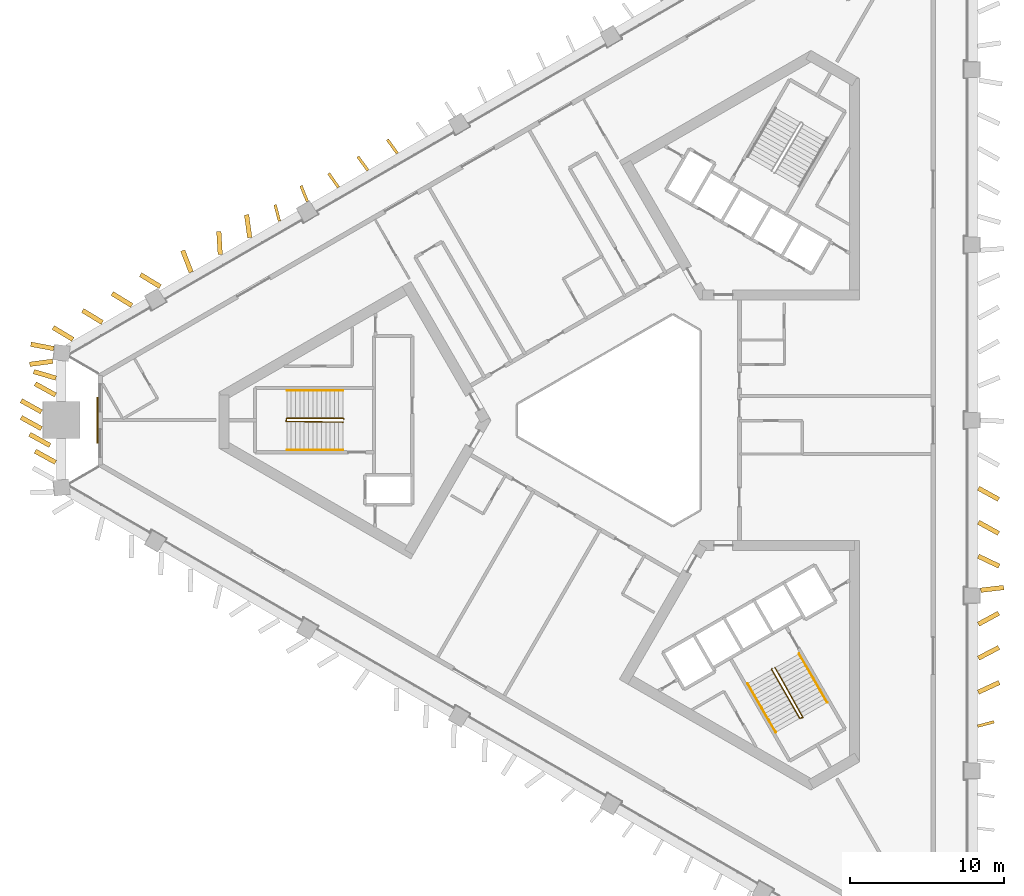
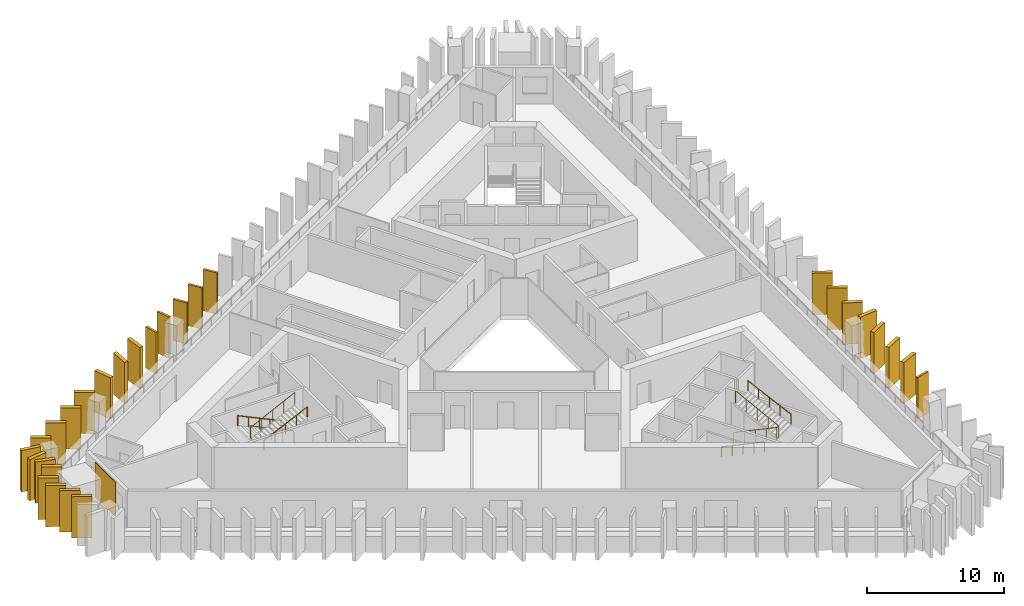
# One storey, part 8 of 10: 28 shading devices, 6 railings, 1 covering.
"""IFC4 building model written with IfcOpenShell, lengths in metres."""

from ifc_helpers import new_model, si_unit, direction, frame, frame_2d, origin, origin_2d, place, context, subcontext, project, spatial, rectangle, circle, extrude, material, layer, layer_set, type_object, element, save


model = new_model("IFC4")

# Units and contexts
model_context = context("Model", 3, precision=1e-05, world=origin(), true_north=direction((0.0, 1.0)))
body_context = subcontext(model_context, "Body", "Model", "MODEL_VIEW")
ifc_project = project(units=[si_unit("LENGTHUNIT", "METRE"), si_unit("AREAUNIT", "SQUARE_METRE"), si_unit("VOLUMEUNIT", "CUBIC_METRE"), si_unit("PLANEANGLEUNIT", "RADIAN"), si_unit("MASSUNIT", "GRAM", prefix="KILO")], contexts=[model_context])

# Site, building, storey
site_placement = place(None, origin())
site = spatial("IfcSite", under=ifc_project, at=site_placement, CompositionType="ELEMENT")
building_placement = place(site_placement, origin())
building = spatial("IfcBuilding", under=site, at=building_placement, Name="Jabali Bay Hotel Tower and Convention Centre", CompositionType="ELEMENT")
storey_placement = place(building_placement, frame((0.0, 0.0, 121.60009765625)))
storey = spatial("IfcBuildingStorey", under=building, at=storey_placement, Name="L29", CompositionType="ELEMENT", Elevation=121.60009765625)

# Shading devices
ifc_material_1 = material(Name="Precast concrete C60", Category="concrete")
ifc_layer_1 = layer(ifc_material_1, 0.179931640625)
ifc_layer_set_1 = layer_set([ifc_layer_1], Name="Precast concrete C60")
shading_device_type_1 = type_object("IfcShadingDeviceType", Name="Precast fin 3680 x 1100", PredefinedType="USERDEFINED", material=ifc_layer_set_1)
shading_device_1_placement = place(storey_placement, frame((97.516357421875, 60.182373046875, 0.010009765625), z_axis=(0.0, 0.0, 1.0), x_axis=(0.965709964393, 0.259623313038, 0.0)))
element("IfcShadingDevice", 1, at=shading_device_1_placement, inside=storey, type_object=shading_device_type_1, Name="Fin L29 004", ObjectType="FIN", PredefinedType="USERDEFINED", context=body_context, shape_type="SweptSolid", body=[
    extrude(rectangle(XDim=1.100341796875, YDim=0.179931640625, at=frame_2d((0.55029296875, 0.0))), origin(), (0.0, 0.0, 1.0), 3.679931640625),
])
for number, where, z_axis, x_axis, name in (
    (2, (59.934814453125, 97.285888671875, 0.010009765625), (0.0, 0.0, 1.0), (-0.587749294152, 0.809043118272, 0.0), "Fin L29 050"),
    (3, (58.027587890625, 96.185302734375, 0.010009765625), (0.0, 0.0, 1.0), (-0.592229410148, 0.805769399863, 0.0), "Fin L29 051"),
):
    element("IfcShadingDevice", number, at=place(storey_placement, frame(where, z_axis=z_axis, x_axis=x_axis)), inside=storey, type_object=shading_device_type_1, Name=name, ObjectType="FIN", PredefinedType="USERDEFINED", context=body_context, shape_type="SweptSolid", body=[
        extrude(rectangle(XDim=1.099853515625, YDim=0.179931640625, at=frame_2d((0.5498046875, 0.0))), origin(), (0.0, 0.0, 1.0), 3.679931640625),
    ])
for number, where, z_axis, x_axis, name in (
    (4, (56.121826171875, 95.08251953125, 0.010009765625), (0.0, 0.0, 1.0), (-0.574310965573, 0.818637230293, 0.0), "Fin L29 052"),
    (5, (54.10888671875, 94.165283203125, 0.010009765625), (0.0, 0.0, 1.0), (-0.375978140096, 0.926628533, 0.0), "Fin L29 053"),
    (6, (52.300048828125, 92.89404296875, 0.010009765625), (0.0, 0.0, 1.0), (-0.256764718734, 0.966473941301, 0.0), "Fin L29 054"),
):
    element("IfcShadingDevice", number, at=place(storey_placement, frame(where, z_axis=z_axis, x_axis=x_axis)), inside=storey, type_object=shading_device_type_1, Name=name, ObjectType="FIN", PredefinedType="USERDEFINED", context=body_context, shape_type="SweptSolid", body=[
        extrude(rectangle(XDim=1.10009765625, YDim=0.179931640625, at=frame_2d((0.550048828125, 0.0))), origin(), (0.0, 0.0, 1.0), 3.679931640625),
    ])
ifc_layer_2 = layer(ifc_material_1, 0.300048828125)
ifc_layer_set_2 = layer_set([ifc_layer_2], Name="Precast concrete C60")
shading_device_type_2 = type_object("IfcShadingDeviceType", Name="Precast fin 3680 x 1500", PredefinedType="USERDEFINED", material=ifc_layer_set_2)
shading_device_2_placement = place(storey_placement, frame((97.555908203125, 62.384521484375, 0.010009765625), z_axis=(0.0, 0.0, 1.0), x_axis=(0.908354434814, 0.418201172587, 0.0)))
element("IfcShadingDevice", 7, at=shading_device_2_placement, inside=storey, type_object=shading_device_type_2, Name="Fin L29 005", ObjectType="FIN", PredefinedType="USERDEFINED", context=body_context, shape_type="SweptSolid", body=[
    extrude(rectangle(XDim=1.499755859375, YDim=0.300048828125, at=frame_2d((0.75, 0.0))), origin(), (0.0, 0.0, 1.0), 3.679931640625),
])
for number, where, z_axis, x_axis, name in (
    (8, (97.5625, 64.58642578125, 0.010009765625), (0.0, 0.0, 1.0), (0.886242148833, 0.463222250795, 0.0), "Fin L29 006"),
    (9, (97.564697265625, 66.788330078125, 0.010009765625), (0.0, 0.0, 1.0), (0.878777373768, 0.477231942931, 0.0), "Fin L29 007"),
    (10, (97.7177734375, 68.990234375, 0.010009765625), (0.0, 0.0, 1.0), (0.99324251465, 0.116057343977, 0.0), "Fin L29 008"),
    (11, (97.5576171875, 71.192138671875, 0.010009765625), (0.0, 0.0, 1.0), (0.903043965695, -0.429548130041, 0.0), "Fin L29 009"),
    (12, (97.5654296875, 73.39404296875, 0.010009765625), (0.0, 0.0, 1.0), (0.876123111345, -0.482087433737, 0.0), "Fin L29 010"),
    (13, (97.5654296875, 75.59619140625, 0.010009765625), (0.0, 0.0, 1.0), (0.876016513422, -0.482281109117, 0.0), "Fin L29 011"),
    (14, (50.37646484375, 91.82177734375, 0.010009765625), (0.0, 0.0, 1.0), (-0.13656579225, 0.990631003142, 0.0), "Fin L29 055"),
    (15, (48.46435546875, 90.72998046875, 0.010009765625), (0.0, 0.0, 1.0), (-0.059733356166, 0.998214368841, 0.0), "Fin L29 056"),
    (16, (46.57958984375, 89.590576171875, 0.010009765625), (0.0, 0.0, 1.0), (-0.362477679396, 0.931992452727, 0.0), "Fin L29 057"),
    (17, (44.579833984375, 88.650146484375, 0.010009765625), (0.0, 0.0, 1.0), (-0.854157694929, 0.520014069226, 0.0), "Fin L29 058"),
    (18, (42.740966796875, 87.431396484375, 0.010009765625), (0.0, 0.0, 1.0), (-0.855259035013, 0.518200716932, 0.0), "Fin L29 059"),
    (19, (40.833984375, 86.33056640625, 0.010009765625), (0.0, 0.0, 1.0), (-0.855634763077, 0.51758009256, 0.0), "Fin L29 060"),
    (20, (38.927001953125, 85.2294921875, 0.010009765625), (0.0, 0.0, 1.0), (-0.855634763077, 0.51758009256, 0.0), "Fin L29 061"),
    (21, (37.615234375, 83.81787109375, 0.010009765625), (0.0, 0.0, 1.0), (-0.991358190313, -0.131182843768, 0.0), "Fin L29 062"),
):
    element("IfcShadingDevice", number, at=place(storey_placement, frame(where, z_axis=z_axis, x_axis=x_axis)), inside=storey, type_object=shading_device_type_2, Name=name, ObjectType="FIN", PredefinedType="USERDEFINED", context=body_context, shape_type="SweptSolid", body=[
        extrude(rectangle(XDim=1.5, YDim=0.300048828125, at=frame_2d((0.75, 0.0))), origin(), (0.0, 0.0, 1.0), 3.679931640625),
    ])
shading_device_3_placement = place(storey_placement, frame((37.826904296875, 82.72705078125, 0.010009765625), z_axis=(0.0, 0.0, 1.0), x_axis=(-0.959766301418, 0.280800011863, 0.0)))
element("IfcShadingDevice", 22, at=shading_device_3_placement, inside=storey, type_object=shading_device_type_2, Name="Fin L29 063", ObjectType="FIN", PredefinedType="USERDEFINED", context=body_context, shape_type="SweptSolid", body=[
    extrude(rectangle(XDim=1.499755859375, YDim=0.300048828125, at=frame_2d((0.75, 0.0))), origin(), (0.0, 0.0, 1.0), 3.679931640625),
])
for number, where, z_axis, x_axis, name in (
    (23, (37.796875, 81.63623046875, 0.010009765625), (0.0, 0.0, 1.0), (-0.876016513422, 0.482281109117, 0.0), "Fin L29 064"),
    (24, (36.88427734375, 80.54541015625, 0.010009765625), (0.0, 0.0, 1.0), (-0.876016513422, 0.482281109117, 0.0), "Fin L29 065"),
    (25, (36.88427734375, 79.45458984375, 0.010009765625), (0.0, 0.0, 1.0), (-0.876016513422, 0.482281109117, 0.0), "Fin L29 066"),
    (26, (37.43798828125, 78.36376953125, 0.010009765625), (0.0, 0.0, 1.0), (-0.876016513422, 0.482281109117, 0.0), "Fin L29 067"),
    (27, (37.796875, 77.27294921875, 0.010009765625), (0.0, 0.0, 1.0), (-0.876016513422, 0.482281109117, 0.0), "Fin L29 068"),
):
    element("IfcShadingDevice", number, at=place(storey_placement, frame(where, z_axis=z_axis, x_axis=x_axis)), inside=storey, type_object=shading_device_type_2, Name=name, ObjectType="FIN", PredefinedType="USERDEFINED", context=body_context, shape_type="SweptSolid", body=[
        extrude(rectangle(XDim=1.5, YDim=0.300048828125, at=frame_2d((0.75, 0.0))), origin(), (0.0, 0.0, 1.0), 3.679931640625),
    ])
shading_device_4_placement = place(storey_placement, frame((37.67529296875, 84.640625, 0.010009765625), z_axis=(0.0, 0.0, 1.0), x_axis=(-0.982609588261, 0.185683593939, 0.0)))
element("IfcShadingDevice", 28, at=shading_device_4_placement, inside=storey, type_object=shading_device_type_2, Name="Fin L29 108", ObjectType="FIN", PredefinedType="USERDEFINED", context=body_context, shape_type="SweptSolid", body=[
    extrude(rectangle(XDim=1.500244140625, YDim=0.300048828125, at=frame_2d((0.75, 0.0))), origin(), (0.0, 0.0, 1.0), 3.679931640625),
])

# Covering
ifc_material_2 = material(Name="Precast concrete C40/50", Category="concrete")
ifc_layer_3 = layer(ifc_material_2, 0.080078125)
ifc_layer_set_3 = layer_set([ifc_layer_3], Name="Precast concrete C40/50")
covering_type = type_object("IfcCoveringType", Name="Relief panel 3000 x 3050", PredefinedType="CLADDING", material=ifc_layer_set_3)
covering_placement = place(storey_placement, frame((40.515869140625, 80.0, 0.10009765625), z_axis=(0.0, 0.0, 1.0), x_axis=(0.0, 1.0, 0.0)))
element("IfcCovering", 29, at=covering_placement, inside=storey, type_object=covering_type, Name="Relief panel L29", PredefinedType="CLADDING", context=body_context, shape_type="SweptSolid", body=[
    extrude(rectangle(XDim=3.0, YDim=0.080078125, at=origin_2d()), origin(), (0.0, 0.0, 1.0), 3.050048828125),
])

# Railings
ifc_material_3 = material(Name="Steel Q355B", Category="steel")
railing_type_1 = type_object("IfcRailingType", Name="Stair guard 1100", PredefinedType="GUARDRAIL", material=ifc_material_3)
railing_1_placement = place(storey_placement, frame((56.469970703125, 80.074951171875, 0.0)))
element("IfcRailing", 30, at=railing_1_placement, inside=storey, type_object=railing_type_1, Name="L29 ST1 stair guard 1", PredefinedType="GUARDRAIL", context=body_context, shape_type="SweptSolid", body=[
    extrude(circle(Radius=0.02392578125, at=origin_2d()), frame((0.0, 0.0, 1.076171875), z_axis=(-0.333993628408, 0.333993628408, 0.881417331555), x_axis=(-0.707106781187, -0.707106781187, 0.0)), (0.0, 0.0, 1.0), 0.14990234375),
    extrude(circle(Radius=0.02392578125, at=origin_2d()), frame((-0.050048828125, 0.050048828125, 1.2080078125), z_axis=(-0.904350763662, 0.0, 0.426789990819), x_axis=(0.0, -1.0, 0.0)), (0.0, 0.0, 1.0), 4.02490234375),
    extrude(circle(Radius=0.02392578125, at=origin_2d()), frame((-3.68994140625, 0.050048828125, 2.92578125), z_axis=(-0.242814311512, -0.970072785993, 0.0), x_axis=(0.970072785993, -0.242814311512, 0.0)), (0.0, 0.0, 1.0), 0.2060546875),
    extrude(circle(Radius=0.02392578125, at=origin_2d()), frame((-3.739990234375, -0.14990234375, 2.92578125), z_axis=(0.893864111827, -0.012124000458, 0.448174026692), x_axis=(0.013562335953, 0.999908027292, 0.0)), (0.0, 0.0, 1.0), 4.128173828125),
    extrude(circle(Radius=0.02099609375, at=origin_2d()), origin(), (0.0, 0.0, 1.0), 1.052001953125),
    extrude(circle(Radius=0.02099609375, at=origin_2d()), frame((-0.050048828125, 0.050048828125, 0.132080078125)), (0.0, 0.0, 1.0), 1.052001953125),
    extrude(circle(Radius=0.02099609375, at=origin_2d()), frame((-0.9599609375, 0.050048828125, 0.5615234375)), (0.0, 0.0, 1.0), 1.052001953125),
    extrude(circle(Radius=0.02099609375, at=origin_2d()), frame((-1.8701171875, 0.050048828125, 0.990966796875)), (0.0, 0.0, 1.0), 1.052001953125),
    extrude(circle(Radius=0.02099609375, at=origin_2d()), frame((-2.780029296875, 0.050048828125, 1.42041015625)), (0.0, 0.0, 1.0), 1.052001953125),
    extrude(circle(Radius=0.02099609375, at=origin_2d()), frame((-3.68994140625, 0.050048828125, 1.849853515625)), (0.0, 0.0, 1.0), 1.052001953125),
    extrude(circle(Radius=0.02099609375, at=origin_2d()), frame((-3.739990234375, -0.14990234375, 1.849853515625)), (0.0, 0.0, 1.0), 1.052001953125),
    extrude(circle(Radius=0.02099609375, at=origin_2d()), frame((-2.8173828125, -0.162353515625, 2.3125)), (0.0, 0.0, 1.0), 1.052001953125),
    extrude(circle(Radius=0.02099609375, at=origin_2d()), frame((-1.89501953125, -0.1748046875, 2.77490234375)), (0.0, 0.0, 1.0), 1.052001953125),
    extrude(circle(Radius=0.02099609375, at=origin_2d()), frame((-0.97265625, -0.1875, 3.2373046875)), (0.0, 0.0, 1.0), 1.052001953125),
    extrude(circle(Radius=0.02099609375, at=origin_2d()), frame((-0.050048828125, -0.199951171875, 3.699951171875)), (0.0, 0.0, 1.0), 1.052001953125),
])
railing_2_placement = place(storey_placement, frame((84.199951171875, 63.9150390625, 0.0)))
element("IfcRailing", 31, at=railing_2_placement, inside=storey, type_object=railing_type_1, Name="L29 ST3 stair guard 1", PredefinedType="GUARDRAIL", context=body_context, shape_type="SweptSolid", body=[
    extrude(circle(Radius=0.02392578125, at=origin_2d()), frame((0.0, 0.0, 1.076171875), z_axis=(-0.122196845461, -0.456201556387, 0.881446578591), x_axis=(0.965948051503, -0.258736085224, 0.0)), (0.0, 0.0, 1.0), 0.14990234375),
    extrude(circle(Radius=0.02392578125, at=origin_2d()), frame((-0.018310546875, -0.068359375, 1.2080078125), z_axis=(0.452190331055, -0.783190014029, 0.426775475427), x_axis=(0.866018046521, 0.500012742938, 0.0)), (0.0, 0.0, 1.0), 4.02490234375),
    extrude(circle(Radius=0.02392578125, at=origin_2d()), frame((1.8017578125, -3.220703125, 2.92578125), z_axis=(0.96121063429, 0.275815366736, 0.0), x_axis=(-0.275815366736, 0.96121063429, 0.0)), (0.0, 0.0, 1.0), 0.206298828125),
    extrude(circle(Radius=0.02392578125, at=origin_2d()), frame((2.0, -3.163818359375, 2.92578125), z_axis=(-0.436470229993, 0.780146179382, 0.448180406895), x_axis=(-0.872702246529, -0.488252792008, 0.0)), (0.0, 0.0, 1.0), 4.1279296875),
    extrude(circle(Radius=0.02099609375, at=origin_2d()), origin(), (0.0, 0.0, 1.0), 1.052001953125),
    extrude(circle(Radius=0.02099609375, at=origin_2d()), frame((-0.018310546875, -0.068359375, 0.132080078125)), (0.0, 0.0, 1.0), 1.052001953125),
    extrude(circle(Radius=0.02099609375, at=origin_2d()), frame((0.436767578125, -0.8564453125, 0.5615234375)), (0.0, 0.0, 1.0), 1.052001953125),
    extrude(circle(Radius=0.02099609375, at=origin_2d()), frame((0.8916015625, -1.64453125, 0.990966796875)), (0.0, 0.0, 1.0), 1.052001953125),
    extrude(circle(Radius=0.02099609375, at=origin_2d()), frame((1.3466796875, -2.4326171875, 1.42041015625)), (0.0, 0.0, 1.0), 1.052001953125),
    extrude(circle(Radius=0.02099609375, at=origin_2d()), frame((1.8017578125, -3.220703125, 1.849853515625)), (0.0, 0.0, 1.0), 1.052001953125),
    extrude(circle(Radius=0.02099609375, at=origin_2d()), frame((2.0, -3.163818359375, 1.849853515625)), (0.0, 0.0, 1.0), 1.052001953125),
    extrude(circle(Radius=0.02099609375, at=origin_2d()), frame((1.549560546875, -2.358642578125, 2.3125)), (0.0, 0.0, 1.0), 1.052001953125),
    extrude(circle(Radius=0.02099609375, at=origin_2d()), frame((1.09912109375, -1.5537109375, 2.77490234375)), (0.0, 0.0, 1.0), 1.052001953125),
    extrude(circle(Radius=0.02099609375, at=origin_2d()), frame((0.648681640625, -0.74853515625, 3.2373046875)), (0.0, 0.0, 1.0), 1.052001953125),
    extrude(circle(Radius=0.02099609375, at=origin_2d()), frame((0.1982421875, 0.056640625, 3.699951171875)), (0.0, 0.0, 1.0), 1.052001953125),
])
railing_type_2 = type_object("IfcRailingType", Name="Stair handrail 900", PredefinedType="HANDRAIL", material=ifc_material_3)
railing_3_placement = place(storey_placement, frame((56.419921875, 81.925048828125, 0.132080078125)))
element("IfcRailing", 32, at=railing_3_placement, inside=storey, type_object=railing_type_2, Name="L29 ST1 stair handrail 1", PredefinedType="HANDRAIL", context=body_context, shape_type="SweptSolid", body=[
    extrude(circle(Radius=0.02392578125, at=origin_2d()), frame((0.0, 0.0, 0.8759765625), z_axis=(-0.904350763662, 0.0, 0.426789990819), x_axis=(0.0, -1.0, 0.0)), (0.0, 0.0, 1.0), 4.02490234375),
    extrude(circle(Radius=0.02099609375, at=origin_2d()), origin(), (0.0, 0.0, 1.0), 0.851806640625),
    extrude(circle(Radius=0.02099609375, at=origin_2d()), frame((-0.909912109375, 0.0, 0.429443359375)), (0.0, 0.0, 1.0), 0.851806640625),
    extrude(circle(Radius=0.02099609375, at=origin_2d()), frame((-1.81982421875, 0.0, 0.85888671875)), (0.0, 0.0, 1.0), 0.851806640625),
    extrude(circle(Radius=0.02099609375, at=origin_2d()), frame((-2.72998046875, 0.0, 1.288330078125)), (0.0, 0.0, 1.0), 0.851806640625),
    extrude(circle(Radius=0.02099609375, at=origin_2d()), frame((-3.639892578125, 0.0, 1.7177734375)), (0.0, 0.0, 1.0), 0.851806640625),
])
railing_4_placement = place(storey_placement, frame((52.780029296875, 78.074951171875, 1.98193359375)))
element("IfcRailing", 33, at=railing_4_placement, inside=storey, type_object=railing_type_2, Name="L29 ST1 stair handrail 2", PredefinedType="HANDRAIL", context=body_context, shape_type="SweptSolid", body=[
    extrude(circle(Radius=0.02392578125, at=origin_2d()), frame((0.0, 0.0, 0.8759765625), z_axis=(0.904327350853, 0.0, 0.426839598092), x_axis=(0.0, 1.0, 0.0)), (0.0, 0.0, 1.0), 4.02490234375),
    extrude(circle(Radius=0.02099609375, at=origin_2d()), origin(), (0.0, 0.0, 1.0), 0.851806640625),
    extrude(circle(Radius=0.02099609375, at=origin_2d()), frame((0.909912109375, 0.0, 0.429443359375)), (0.0, 0.0, 1.0), 0.851806640625),
    extrude(circle(Radius=0.02099609375, at=origin_2d()), frame((1.81982421875, 0.0, 0.85888671875)), (0.0, 0.0, 1.0), 0.851806640625),
    extrude(circle(Radius=0.02099609375, at=origin_2d()), frame((2.72998046875, 0.0, 1.28857421875)), (0.0, 0.0, 1.0), 0.851806640625),
    extrude(circle(Radius=0.02099609375, at=origin_2d()), frame((3.639892578125, 0.0, 1.718017578125)), (0.0, 0.0, 1.0), 0.851806640625),
])
railing_5_placement = place(storey_placement, frame((82.622802734375, 62.94677734375, 0.132080078125)))
element("IfcRailing", 34, at=railing_5_placement, inside=storey, type_object=railing_type_2, Name="L29 ST3 stair handrail 1", PredefinedType="HANDRAIL", context=body_context, shape_type="SweptSolid", body=[
    extrude(circle(Radius=0.02392578125, at=origin_2d()), frame((0.0, 0.0, 0.8759765625), z_axis=(0.452190331055, -0.783190014029, 0.426775475427), x_axis=(0.866018046521, 0.500012742938, 0.0)), (0.0, 0.0, 1.0), 4.02490234375),
    extrude(circle(Radius=0.02099609375, at=origin_2d()), origin(), (0.0, 0.0, 1.0), 0.851806640625),
    extrude(circle(Radius=0.02099609375, at=origin_2d()), frame((0.455078125, -0.7880859375, 0.429443359375)), (0.0, 0.0, 1.0), 0.851806640625),
    extrude(circle(Radius=0.02099609375, at=origin_2d()), frame((0.91015625, -1.576171875, 0.85888671875)), (0.0, 0.0, 1.0), 0.851806640625),
    extrude(circle(Radius=0.02099609375, at=origin_2d()), frame((1.364990234375, -2.3642578125, 1.288330078125)), (0.0, 0.0, 1.0), 0.851806640625),
    extrude(circle(Radius=0.02099609375, at=origin_2d()), frame((1.820068359375, -3.15234375, 1.7177734375)), (0.0, 0.0, 1.0), 0.851806640625),
])
railing_6_placement = place(storey_placement, frame((87.777099609375, 61.719482421875, 1.98193359375)))
element("IfcRailing", 35, at=railing_6_placement, inside=storey, type_object=railing_type_2, Name="L29 ST3 stair handrail 2", PredefinedType="HANDRAIL", context=body_context, shape_type="SweptSolid", body=[
    extrude(circle(Radius=0.02392578125, at=origin_2d()), frame((0.0, 0.0, 0.8759765625), z_axis=(-0.45217862506, 0.783169739339, 0.426825081763), x_axis=(-0.866018046521, -0.500012742938, 0.0)), (0.0, 0.0, 1.0), 4.025146484375),
    extrude(circle(Radius=0.02099609375, at=origin_2d()), origin(), (0.0, 0.0, 1.0), 0.851806640625),
    extrude(circle(Radius=0.02099609375, at=origin_2d()), frame((-0.455078125, 0.7880859375, 0.429443359375)), (0.0, 0.0, 1.0), 0.851806640625),
    extrude(circle(Radius=0.02099609375, at=origin_2d()), frame((-0.91015625, 1.576171875, 0.85888671875)), (0.0, 0.0, 1.0), 0.851806640625),
    extrude(circle(Radius=0.02099609375, at=origin_2d()), frame((-1.364990234375, 2.3642578125, 1.28857421875)), (0.0, 0.0, 1.0), 0.851806640625),
    extrude(circle(Radius=0.02099609375, at=origin_2d()), frame((-1.820068359375, 3.15234375, 1.718017578125)), (0.0, 0.0, 1.0), 0.851806640625),
])

save(model, "model.ifc")
